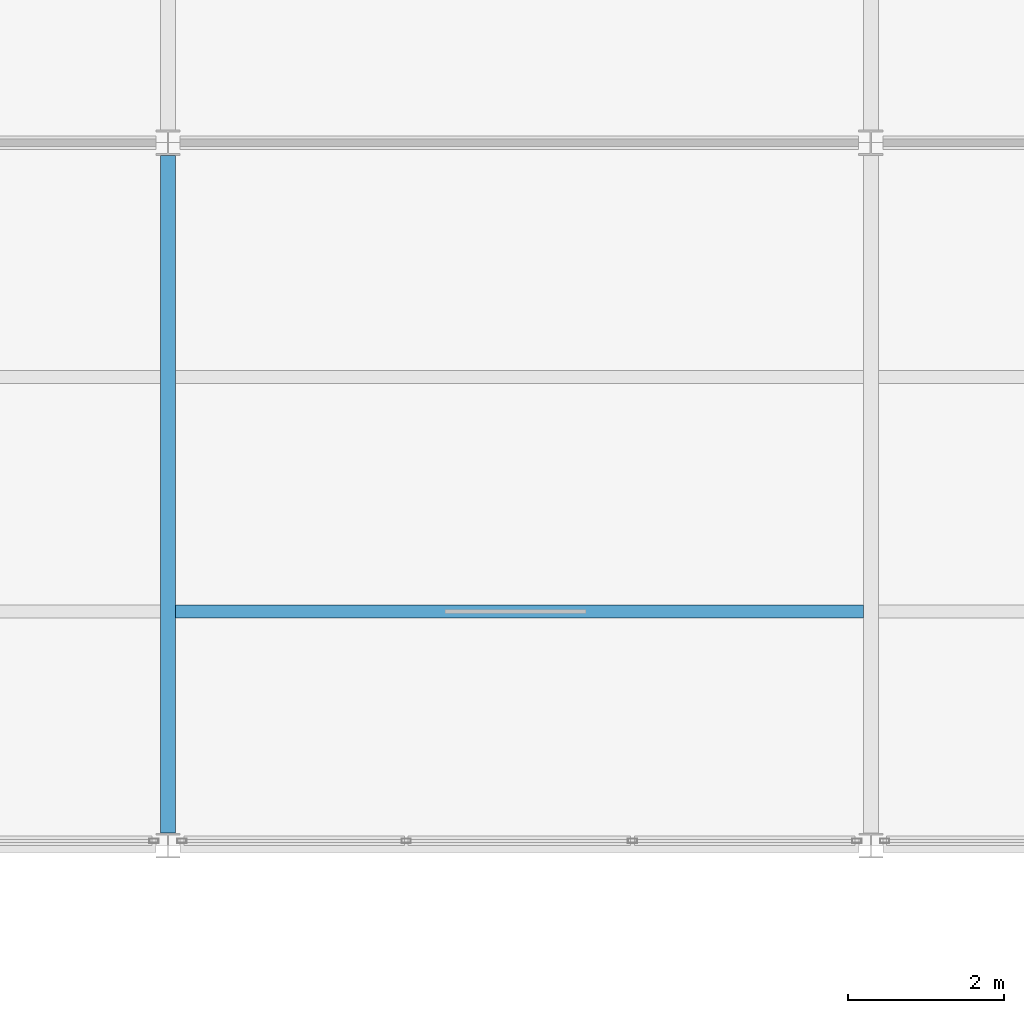
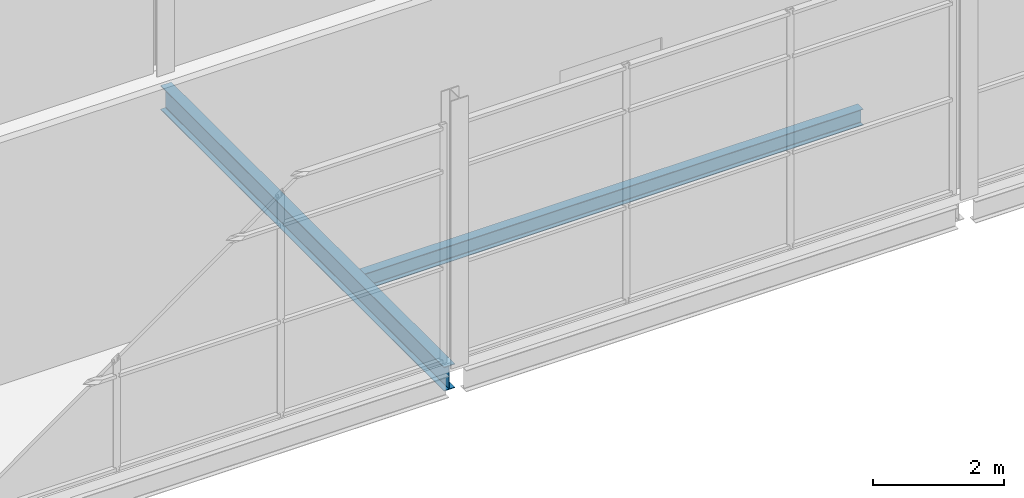
# One storey, part 27 of 61: 2 beams.
"""IFC4 building model written with IfcOpenShell, lengths in metres."""

from ifc_helpers import new_model, si_unit, direction, frame, origin, origin_2d, place, context, subcontext, project, spatial, i_section, extrude, material, material_profile, profile_set, type_object, element, save


model = new_model("IFC4")

# Units and contexts
model_context = context("Model", 3, precision=1e-05, world=origin(), true_north=direction((0.0, 1.0)))
body_context = subcontext(model_context, "Body", "Model", "MODEL_VIEW")
ifc_project = project(units=[si_unit("LENGTHUNIT", "METRE"), si_unit("AREAUNIT", "SQUARE_METRE"), si_unit("VOLUMEUNIT", "CUBIC_METRE"), si_unit("PLANEANGLEUNIT", "RADIAN"), si_unit("MASSUNIT", "GRAM", prefix="KILO")], contexts=[model_context])

# Site, building, storey
site_placement = place(None, origin())
site = spatial("IfcSite", under=ifc_project, at=site_placement, CompositionType="ELEMENT")
building_placement = place(site_placement, origin())
building = spatial("IfcBuilding", under=site, at=building_placement, Name="Shorebreak Coast Museum", CompositionType="ELEMENT")
storey_placement = place(building_placement, frame((0.0, 0.0, 26.0)))
storey = spatial("IfcBuildingStorey", under=building, at=storey_placement, Name="L04", CompositionType="ELEMENT", Elevation=26.0)

# Beams
ifc_material_1 = material(Name="Steel Grade 300", Category="steel")
ifc_material_profile_1 = material_profile(ifc_material_1, i_section(OverallWidth=0.18994140625, OverallDepth=0.453857421875, WebThickness=0.008544921875, FlangeThickness=0.0126953125, FilletRadius=0.011474609375, at=origin_2d()), Name="460UB67.1")
ifc_profile_set_1 = profile_set([ifc_material_profile_1], Name="Steel Grade 300")
beam_type_1 = type_object("IfcBeamType", Name="Floor girder north-south 460UB67.1", PredefinedType="BEAM", material=ifc_profile_set_1)
beam_1_placement = place(storey_placement, frame((81.0, 81.160400390625, -0.40185546875), z_axis=(0.0, 1.0, 0.0), x_axis=(-1.0, 0.0, 0.0)))
element("IfcBeam", 1, at=beam_1_placement, inside=storey, type_object=beam_type_1, Name="Floor girder north-south L04 10K", PredefinedType="BEAM", context=body_context, shape_type="SweptSolid", body=[
    extrude(i_section(OverallWidth=0.18994140625, OverallDepth=0.453857421875, WebThickness=0.008544921875, FlangeThickness=0.0126953125, FilletRadius=0.011474609375, at=origin_2d()), origin(), (0.0, 0.0, 1.0), 8.676025390625),
])
ifc_material_2 = material(Name="Steel Grade 300", Category="steel")
ifc_material_profile_2 = material_profile(ifc_material_2, i_section(OverallWidth=0.1650390625, OverallDepth=0.303955078125, WebThickness=0.006103515625, FlangeThickness=0.01025390625, FilletRadius=0.011474609375, at=origin_2d()), Name="310UB40.4")
ifc_profile_set_2 = profile_set([ifc_material_profile_2], Name="Steel Grade 300")
beam_type_2 = type_object("IfcBeamType", Name="Floor joist 310UB40.4", PredefinedType="JOIST", material=ifc_profile_set_2)
beam_2_placement = place(storey_placement, frame((81.094970703125, 84.0, -0.326904296875), z_axis=(1.0, 0.0, 0.0), x_axis=(0.0, 1.0, 0.0)))
element("IfcBeam", 2, at=beam_2_placement, inside=storey, type_object=beam_type_2, Name="Floor joist L04 bay 10K at 3000 mm", PredefinedType="JOIST", context=body_context, shape_type="SweptSolid", body=[
    extrude(i_section(OverallWidth=0.1650390625, OverallDepth=0.303955078125, WebThickness=0.006103515625, FlangeThickness=0.01025390625, FilletRadius=0.011474609375, at=origin_2d()), origin(), (0.0, 0.0, 1.0), 8.81005859375),
])

save(model, "model.ifc")
